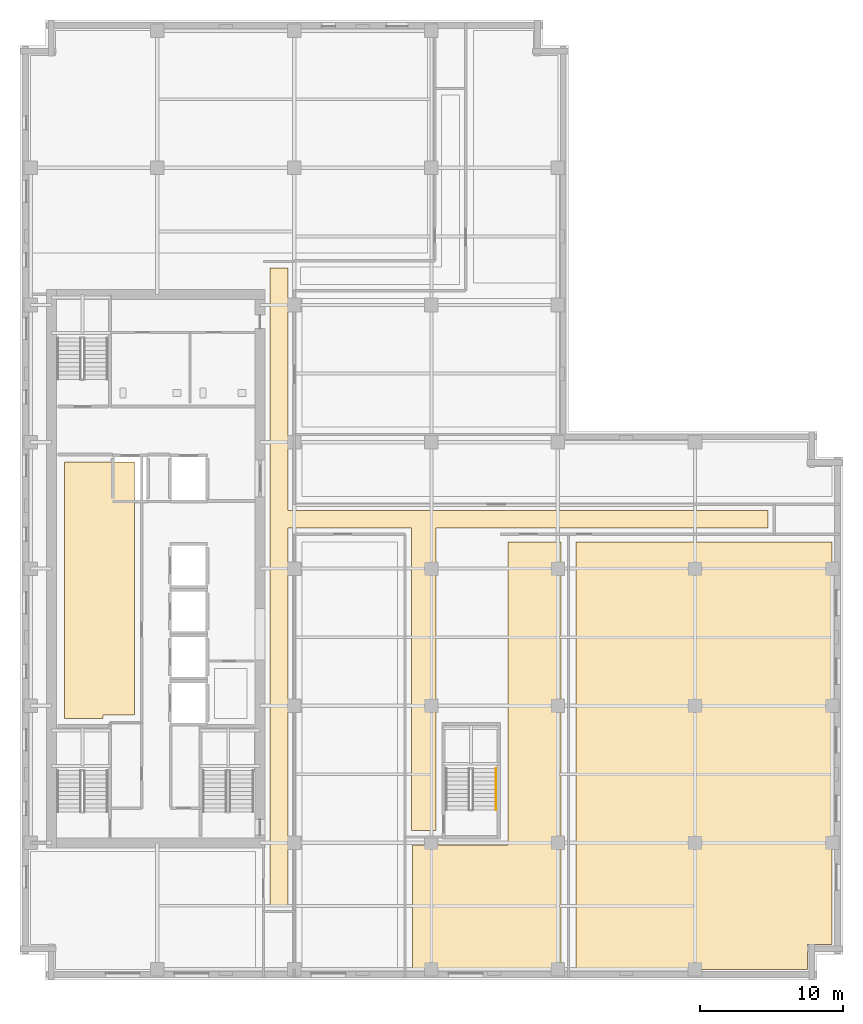
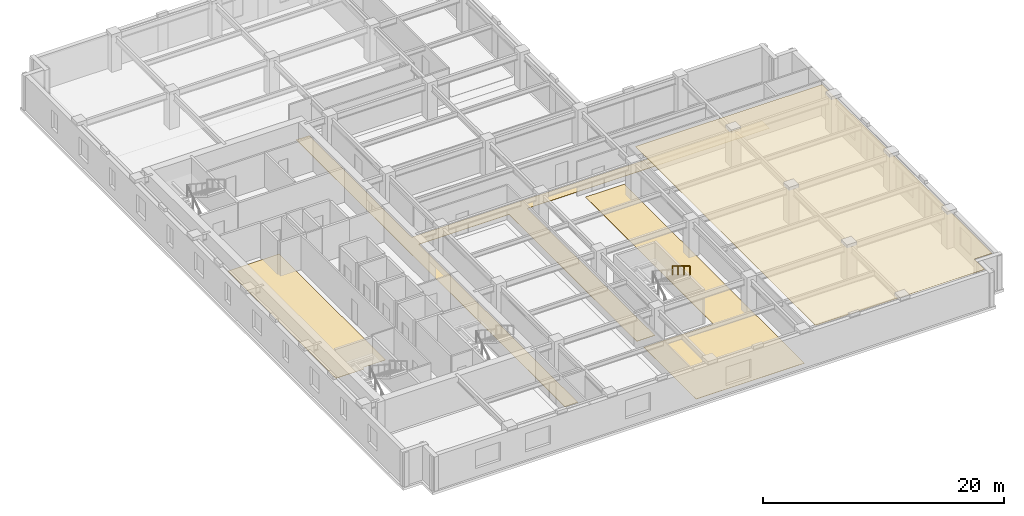
# One storey, part 10 of 13: 4 coverings, 1 railing.
"""IFC4 building model written with IfcOpenShell, lengths in metres."""

from ifc_helpers import new_model, si_unit, direction, frame, origin, origin_2d, place, context, subcontext, project, spatial, polyline, circle, outline, extrude, material, layer, layer_set, type_object, element, save


model = new_model("IFC4")

# Units and contexts
model_context = context("Model", 3, precision=1e-05, world=origin(), true_north=direction((0.0, 1.0)))
body_context = subcontext(model_context, "Body", "Model", "MODEL_VIEW")
ifc_project = project(units=[si_unit("LENGTHUNIT", "METRE"), si_unit("AREAUNIT", "SQUARE_METRE"), si_unit("VOLUMEUNIT", "CUBIC_METRE"), si_unit("PLANEANGLEUNIT", "RADIAN"), si_unit("MASSUNIT", "GRAM", prefix="KILO")], contexts=[model_context])

# Site, building, storey
site_placement = place(None, origin())
site = spatial("IfcSite", under=ifc_project, at=site_placement, CompositionType="ELEMENT")
building_placement = place(site_placement, origin())
building = spatial("IfcBuilding", under=site, at=building_placement, Name="Norrvale University Quadrangle", CompositionType="ELEMENT")
storey_placement = place(building_placement, frame((0.0, 0.0, 190.199951171875)))
storey = spatial("IfcBuildingStorey", under=building, at=storey_placement, Name="L48", CompositionType="ELEMENT", Elevation=190.199951171875)

# Coverings
ifc_material_1 = material(Name="Perforated Acoustic Mineral Ceiling")
ifc_layer_1 = layer(ifc_material_1, 0.02490234375, Name="Perforated Acoustic Mineral Ceiling")
ifc_layer_set_1 = layer_set([ifc_layer_1], Name="Perforated Acoustic Mineral Ceiling")
covering_type_1 = type_object("IfcCoveringType", Name="Covering Acoustic Ceiling 25", PredefinedType="CEILING", material=ifc_layer_set_1)
covering_1_placement = place(storey_placement, frame((0.0, 0.0, 3.455078125)))
element("IfcCovering", 1, at=covering_1_placement, inside=storey, type_object=covering_type_1, Name="Acoustic Ceiling RM-L48-SE3", PredefinedType="CEILING", context=body_context, shape_type="SweptSolid", body=[
    extrude(outline(polyline([(38.929931640625, 0.75), (38.929931640625, 30.669921875), (56.85009765625, 30.669921875), (56.85009765625, 2.469970703125), (55.1298828125, 2.469970703125), (55.1298828125, 0.75), (38.929931640625, 0.75)])), origin(), (0.0, 0.0, 1.0), 0.02490234375),
])
ifc_material_2 = material(Name="Polished Terrazzo Flooring")
ifc_layer_2 = layer(ifc_material_2, 0.02490234375, Name="Polished Terrazzo Flooring")
ifc_layer_set_2 = layer_set([ifc_layer_2], Name="Polished Terrazzo Flooring")
covering_type_2 = type_object("IfcCoveringType", Name="Covering Terrazzo Floor 30", PredefinedType="FLOORING", material=ifc_layer_set_2)
covering_2_placement = place(storey_placement, origin())
element("IfcCovering", 2, at=covering_2_placement, inside=storey, type_object=covering_type_2, Name="Terrazzo Flooring RM-L48-REC2", PredefinedType="FLOORING", context=body_context, shape_type="SweptSolid", body=[
    extrude(outline(polyline([(3.10009765625, 18.300048828125), (3.10009765625, 36.25), (8.0, 36.25), (8.0, 18.550048828125), (5.800048828125, 18.550048828125), (5.800048828125, 18.300048828125), (3.10009765625, 18.300048828125)])), origin(), (0.0, 0.0, 1.0), 0.025146484375),
])
covering_3_placement = place(storey_placement, origin())
element("IfcCovering", 3, at=covering_3_placement, inside=storey, type_object=covering_type_2, Name="Terrazzo Flooring RM-L48-CORR1", PredefinedType="FLOORING", context=body_context, shape_type="SweptSolid", body=[
    extrude(outline(polyline([(17.5, 5.25), (17.5, 49.85009765625), (18.75, 49.85009765625), (18.75, 32.85009765625), (52.35009765625, 32.85009765625), (52.35009765625, 31.64990234375), (29.1298828125, 31.64990234375), (29.1298828125, 10.449951171875), (27.39990234375, 10.449951171875), (27.39990234375, 31.64990234375), (18.75, 31.64990234375), (18.75, 5.25), (17.5, 5.25)])), origin(), (0.0, 0.0, 1.0), 0.025146484375),
])
covering_4_placement = place(storey_placement, origin())
element("IfcCovering", 4, at=covering_4_placement, inside=storey, type_object=covering_type_2, Name="Terrazzo Flooring RM-L48-SE2", PredefinedType="FLOORING", context=body_context, shape_type="SweptSolid", body=[
    extrude(outline(polyline([(27.47998046875, 9.449951171875), (34.14990234375, 9.449951171875), (34.14990234375, 30.669921875), (37.8701171875, 30.669921875), (37.8701171875, 0.75), (27.47998046875, 0.75), (27.47998046875, 9.449951171875)])), origin(), (0.0, 0.0, 1.0), 0.025146484375),
])

# Railing
ifc_material_3 = material(Name="Stainless Steel 316L Handrail", Category="steel")
railing_type = type_object("IfcRailingType", Name="Railing Stair Handrail 920", PredefinedType="HANDRAIL", material=ifc_material_3)
railing_placement = place(storey_placement, frame((33.31005859375, 14.800048828125, 2.07275390625)))
element("IfcRailing", 5, at=railing_placement, inside=storey, type_object=railing_type, Name="Stair Upper Flight Handrail ST-04 L48", PredefinedType="HANDRAIL", context=body_context, shape_type="SweptSolid", body=[
    extrude(circle(Radius=0.02392578125, at=origin_2d()), frame((0.0, 0.0, 0.89599609375), z_axis=(0.0, -0.859160404282, 0.51170636083), x_axis=(1.0, 0.0, 0.0)), (0.0, 0.0, 1.0), 3.37548828125),
    extrude(circle(Radius=0.02099609375, at=origin_2d()), origin(), (0.0, 0.0, 1.0), 0.871826171875),
    extrude(circle(Radius=0.02099609375, at=origin_2d()), frame((0.0, -0.966796875, 0.57568359375)), (0.0, 0.0, 1.0), 0.871826171875),
    extrude(circle(Radius=0.02099609375, at=origin_2d()), frame((0.0, -1.933349609375, 1.151611328125)), (0.0, 0.0, 1.0), 0.871826171875),
    extrude(circle(Radius=0.02099609375, at=origin_2d()), frame((0.0, -2.900146484375, 1.727294921875)), (0.0, 0.0, 1.0), 0.871826171875),
])

save(model, "model.ifc")
